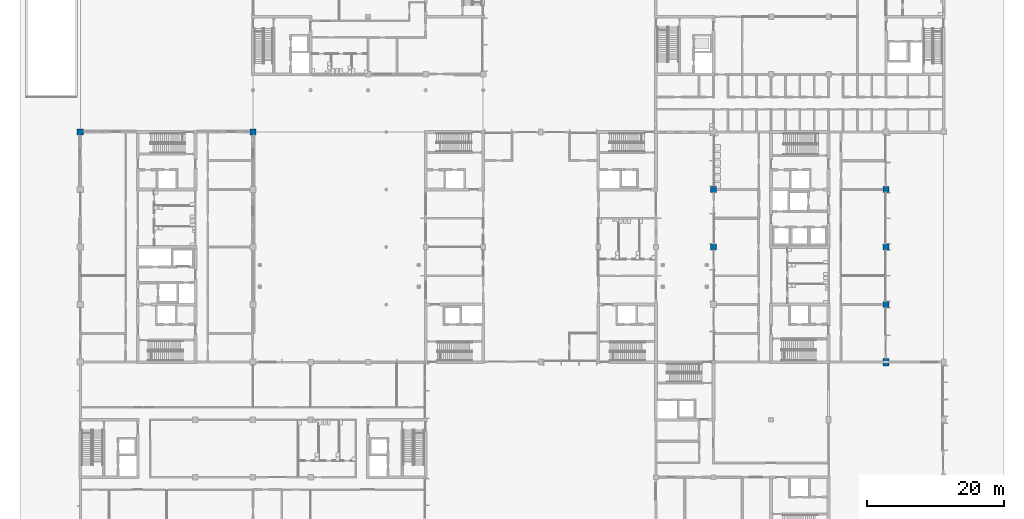
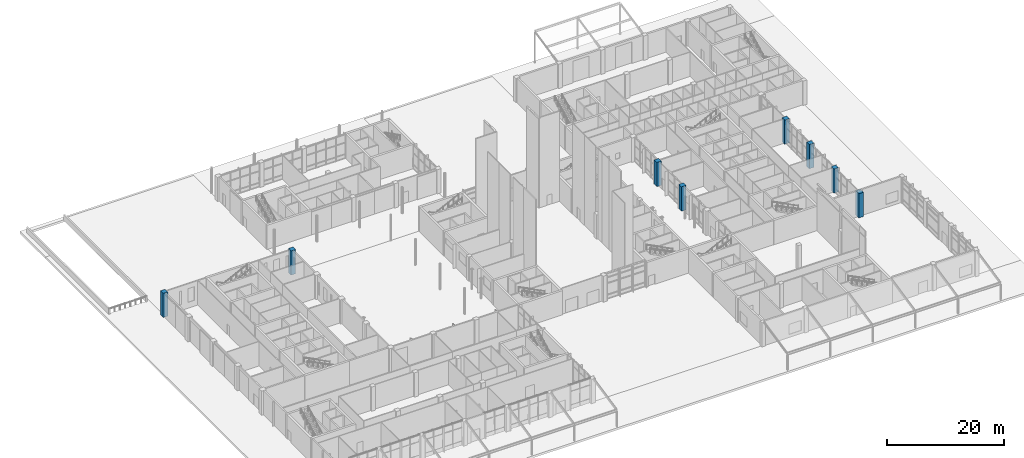
# One storey, part 8 of 76: 8 columns.
"""IFC4 building model written with IfcOpenShell, lengths in metres."""

from ifc_helpers import new_model, si_unit, direction, frame, origin, origin_2d, place, context, subcontext, project, spatial, rectangle, extrude, material, material_profile, profile_set, type_object, element, save


model = new_model("IFC4")

# Units and contexts
model_context = context("Model", 3, precision=1e-05, world=origin(), true_north=direction((0.0, 1.0)))
body_context = subcontext(model_context, "Body", "Model", "MODEL_VIEW")
ifc_project = project(units=[si_unit("LENGTHUNIT", "METRE"), si_unit("AREAUNIT", "SQUARE_METRE"), si_unit("VOLUMEUNIT", "CUBIC_METRE"), si_unit("PLANEANGLEUNIT", "RADIAN"), si_unit("MASSUNIT", "GRAM", prefix="KILO")], contexts=[model_context])

# Site, building, storey
site_placement = place(None, origin())
site = spatial("IfcSite", under=ifc_project, at=site_placement, CompositionType="ELEMENT")
building_placement = place(site_placement, origin())
building = spatial("IfcBuilding", under=site, at=building_placement, Name="Hlaing Beacon Police Headquarters", CompositionType="ELEMENT")
storey_placement = place(building_placement, origin())
storey = spatial("IfcBuildingStorey", under=building, at=storey_placement, Name="L00", CompositionType="ELEMENT", Elevation=0.0)

# Columns
ifc_material_1 = material(Name="Concrete C60/75", Category="concrete")
ifc_material_profile_1 = material_profile(ifc_material_1, rectangle(XDim=0.89990234375, YDim=1.10009765625, at=origin_2d()), Name="900x1100")
ifc_profile_set_1 = profile_set([ifc_material_profile_1], Name="Concrete C60/75")
column_type_1 = type_object("IfcColumnType", Name="RC column 900x1100 C60/75", PredefinedType="COLUMN", material=ifc_profile_set_1)
column_placement = place(storey_placement, frame((126.0, 33.60009765625, 0.0), z_axis=(0.0, 0.0, 1.0), x_axis=(1.0, 0.0, 0.0)))
element("IfcColumn", 1, at=column_placement, inside=storey, type_object=column_type_1, Name="STR-COL-L00-R5", PredefinedType="COLUMN", context=body_context, shape_type="SweptSolid", body=[
    extrude(rectangle(XDim=0.89990234375, YDim=1.10009765625, at=origin_2d()), origin(), (0.0, 0.0, 1.0), 5.050048828125),
])
ifc_material_2 = material(Name="Concrete C50/60", Category="concrete")
ifc_material_profile_2 = material_profile(ifc_material_2, rectangle(XDim=0.89990234375, YDim=0.89990234375, at=origin_2d()), Name="900x900")
ifc_profile_set_2 = profile_set([ifc_material_profile_2], Name="Concrete C50/60")
column_type_2 = type_object("IfcColumnType", Name="RC column 900x900 C50/60", PredefinedType="COLUMN", material=ifc_profile_set_2)
for number, where, z_axis, x_axis, name in (
    (2, (8.39990234375, 67.199951171875, 0.0), (0.0, 0.0, 1.0), (1.0, 0.0, 0.0), "STR-COL-L00-B9"),
    (3, (33.60009765625, 67.199951171875, 0.0), (0.0, 0.0, 1.0), (1.0, 0.0, 0.0), "STR-COL-L00-E9"),
):
    element("IfcColumn", number, at=place(storey_placement, frame(where, z_axis=z_axis, x_axis=x_axis)), inside=storey, type_object=column_type_2, Name=name, PredefinedType="COLUMN", context=body_context, shape_type="SweptSolid", body=[
        extrude(rectangle(XDim=0.89990234375, YDim=0.89990234375, at=origin_2d()), origin(), (0.0, 0.0, 1.0), 5.050048828125),
    ])
ifc_material_3 = material(Name="Concrete C60/75", Category="concrete")
ifc_material_profile_3 = material_profile(ifc_material_3, rectangle(XDim=0.89990234375, YDim=0.89990234375, at=origin_2d()), Name="900x900")
ifc_profile_set_3 = profile_set([ifc_material_profile_3], Name="Concrete C60/75")
column_type_3 = type_object("IfcColumnType", Name="RC column 900x900 C60/75", PredefinedType="COLUMN", material=ifc_profile_set_3)
for number, where, z_axis, x_axis, name in (
    (4, (100.800048828125, 50.39990234375, 0.0), (0.0, 0.0, 1.0), (1.0, 0.0, 0.0), "STR-COL-L00-N7"),
    (5, (100.800048828125, 58.800048828125, 0.0), (0.0, 0.0, 1.0), (1.0, 0.0, 0.0), "STR-COL-L00-N8"),
    (6, (126.0, 42.0, 0.0), (0.0, 0.0, 1.0), (1.0, 0.0, 0.0), "STR-COL-L00-R6"),
    (7, (126.0, 50.39990234375, 0.0), (0.0, 0.0, 1.0), (1.0, 0.0, 0.0), "STR-COL-L00-R7"),
    (8, (126.0, 58.800048828125, 0.0), (0.0, 0.0, 1.0), (1.0, 0.0, 0.0), "STR-COL-L00-R8"),
):
    element("IfcColumn", number, at=place(storey_placement, frame(where, z_axis=z_axis, x_axis=x_axis)), inside=storey, type_object=column_type_3, Name=name, PredefinedType="COLUMN", context=body_context, shape_type="SweptSolid", body=[
        extrude(rectangle(XDim=0.89990234375, YDim=0.89990234375, at=origin_2d()), origin(), (0.0, 0.0, 1.0), 5.050048828125),
    ])

save(model, "model.ifc")
